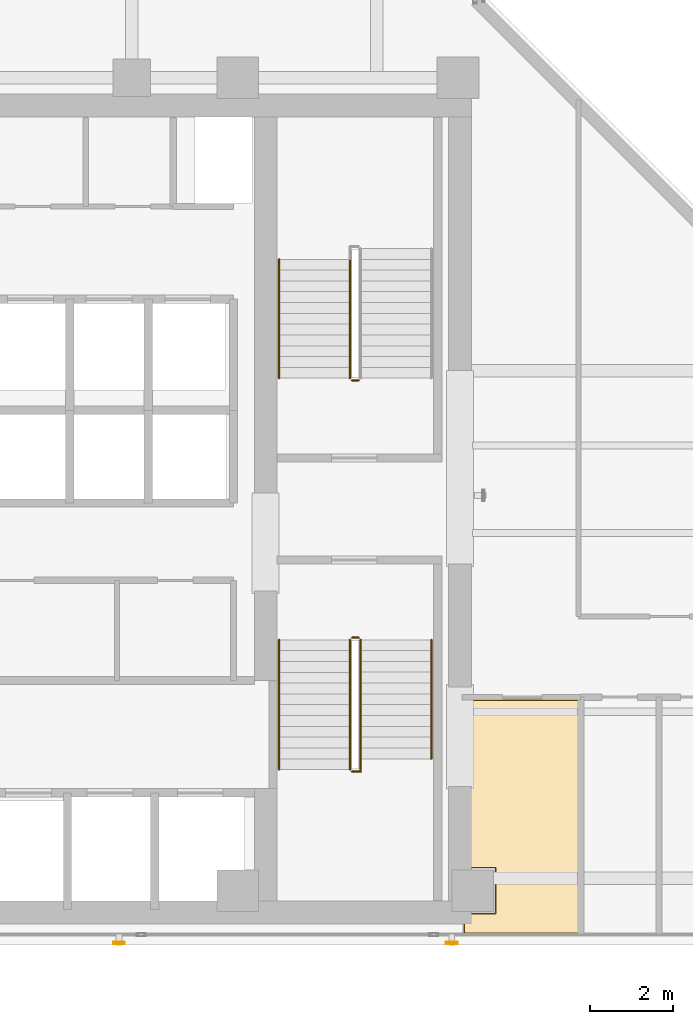
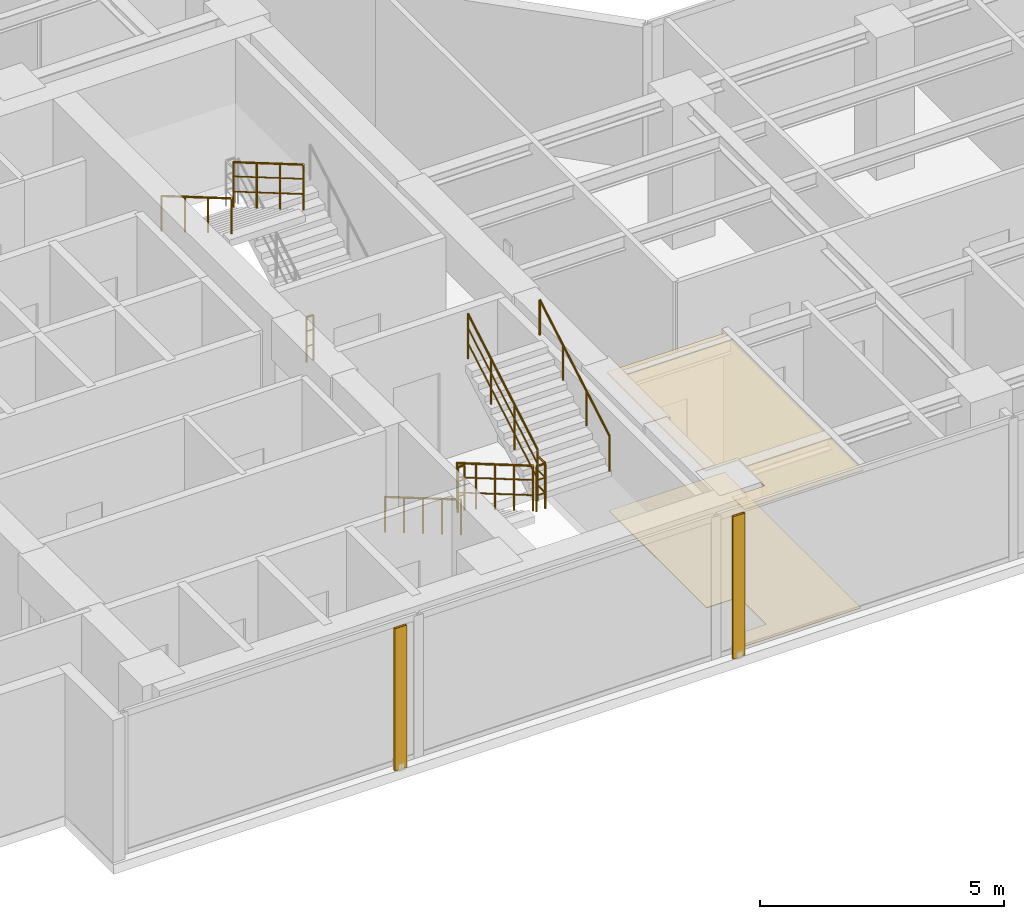
# One storey, part 19 of 23: 9 railings, 2 coverings, 2 shading devices.
"""IFC4 building model written with IfcOpenShell, lengths in metres."""

import ifcopenshell
import ifcopenshell.guid

model = None  # the IFC model being written
_history = None  # IfcOwnerHistory: only IFC2X3 demands one
_inside = {}  # id of a spatial element -> (the spatial element, [elements in it])
_under = {}  # id of a project, library or spatial element -> (it, [spatial elements below it])
_declared = {}  # id of a project -> (the project, [libraries it declares])
_typed = {}  # id of a type object -> (the type object, [elements of that type])
_made_of = {}  # id of a material, layer set ... -> (it, [elements and type objects made of it])


def new_model(schema):
    """Start an empty IFC model of exactly this schema.

    Asked for "IFC4X3", IfcOpenShell would pick the latest addendum, in which some entities
    have other attributes; the version numbers below select the first issue.
    IFC2X3 requires an IfcOwnerHistory on every rooted entity: one is made here for all.
    """
    global model, _history
    if schema == "IFC4X3":
        model = ifcopenshell.file(schema_version=(4, 3, 0, 0))
    else:
        model = ifcopenshell.file(schema=schema)
    _inside.clear()
    _under.clear()
    _declared.clear()
    _typed.clear()
    _made_of.clear()
    _history = None
    if model.schema == "IFC2X3":
        org = make("IfcOrganization", Name="unknown")
        user = make(
            "IfcPersonAndOrganization",
            ThePerson=make("IfcPerson", FamilyName="unknown"),
            TheOrganization=org,
        )
        app = make(
            "IfcApplication",
            ApplicationDeveloper=org,
            Version="unknown",
            ApplicationFullName="unknown",
            ApplicationIdentifier="unknown",
        )
        _history = make(
            "IfcOwnerHistory",
            OwningUser=user,
            OwningApplication=app,
            ChangeAction="ADDED",
            CreationDate=0,
        )
    return model


def make(cls, **values):
    """One entity of the class cls with the attributes given. An attribute that is None is left unset."""
    return model.create_entity(
        cls, **{name: value for name, value in values.items() if value is not None}
    )


def rooted(cls, **values):
    """An entity with a GlobalId (a new one), such as an element, a storey or a relation."""
    return make(cls, GlobalId=ifcopenshell.guid.new(), OwnerHistory=_history, **values)


def si_unit(unit_type, name, prefix=None):
    """IfcSIUnit, for example si_unit("LENGTHUNIT", "METRE", prefix="MILLI")."""
    return make("IfcSIUnit", UnitType=unit_type, Prefix=prefix, Name=name)


def assignment(units):
    """IfcUnitAssignment: the units of a project."""
    return None if units is None else make("IfcUnitAssignment", Units=units)


def point(xyz):
    """IfcCartesianPoint."""
    return None if xyz is None else make("IfcCartesianPoint", Coordinates=xyz)


def direction(xyz):
    """IfcDirection."""
    return None if xyz is None else make("IfcDirection", DirectionRatios=xyz)


def frame(location, z_axis=None, x_axis=None):
    """IfcAxis2Placement3D, a coordinate frame: its origin and axes. An axis left out is left unset."""
    return make(
        "IfcAxis2Placement3D",
        Location=point(location),
        Axis=direction(z_axis),
        RefDirection=direction(x_axis),
    )


def frame_2d(location, x_axis=None):
    """IfcAxis2Placement2D, a coordinate frame in the plane: its origin and x axis."""
    return make(
        "IfcAxis2Placement2D", Location=point(location), RefDirection=direction(x_axis)
    )


def origin():
    """The frame at (0, 0, 0) with its axes left unset."""
    return frame((0.0, 0.0, 0.0))


def origin_2d():
    """The frame at (0, 0) in the plane with its x axis left unset."""
    return frame_2d((0.0, 0.0))


def place(relative_to, where):
    """IfcLocalPlacement: puts the frame where relative to a parent placement (None: the world)."""
    return make(
        "IfcLocalPlacement", PlacementRelTo=relative_to, RelativePlacement=where
    )


def context(
    kind, dimensions, precision=None, world=None, true_north=None, identifier=None
):
    """IfcGeometricRepresentationContext, for example the 3D "Model" context."""
    return make(
        "IfcGeometricRepresentationContext",
        ContextIdentifier=identifier,
        ContextType=kind,
        CoordinateSpaceDimension=dimensions,
        Precision=precision,
        WorldCoordinateSystem=world,
        TrueNorth=true_north,
    )


def subcontext(parent, identifier, kind, view, scale=None):
    """IfcGeometricRepresentationSubContext, for example "Body" below "Model"."""
    return make(
        "IfcGeometricRepresentationSubContext",
        ContextIdentifier=identifier,
        ContextType=kind,
        ParentContext=parent,
        TargetScale=scale,
        TargetView=view,
    )


def project(units=None, contexts=None):
    """IfcProject with its units and contexts."""
    return rooted(
        "IfcProject",
        Name="project",
        RepresentationContexts=contexts,
        UnitsInContext=assignment(units),
    )


def spatial(cls, under=None, at=None, **own):
    """A site, building, storey or space (cls), placed at a placement, below another one or the project."""
    s = rooted(cls, ObjectPlacement=at, **own)
    if under is not None:
        _under.setdefault(under.id(), (under, []))[1].append(s)
    return s


def polyline(points):
    """IfcPolyline through the points."""
    return make("IfcPolyline", Points=[point(p) for p in points])


def profile(cls, at=None, kind="AREA", **sizes):
    """A parametric profile (cls). Its sizes go by their IFC names, for example OverallWidth=200.0."""
    return make(cls, ProfileType=kind, Position=at, **sizes)


def hollow_rectangle(**sizes):
    """IfcRectangleHollowProfileDef."""
    return profile("IfcRectangleHollowProfileDef", **sizes)


def circle(**sizes):
    """IfcCircleProfileDef."""
    return profile("IfcCircleProfileDef", **sizes)


def outline(outer, holes=None, kind="AREA"):
    """IfcArbitraryClosedProfileDef: a profile drawn as a closed curve; with holes, ...WithVoids."""
    if holes is None:
        return make("IfcArbitraryClosedProfileDef", ProfileType=kind, OuterCurve=outer)
    return make(
        "IfcArbitraryProfileDefWithVoids",
        ProfileType=kind,
        OuterCurve=outer,
        InnerCurves=holes,
    )


def extrude(swept, where, along, depth):
    """IfcExtrudedAreaSolid: the profile swept, set in the frame where, extruded along a direction by depth."""
    return make(
        "IfcExtrudedAreaSolid",
        SweptArea=swept,
        Position=where,
        ExtrudedDirection=direction(along),
        Depth=depth,
    )


def shape(context_of_items, identifier, shape_type, items):
    """IfcShapeRepresentation: the items that make up one representation, for example the "Body"."""
    return make(
        "IfcShapeRepresentation",
        ContextOfItems=context_of_items,
        RepresentationIdentifier=identifier,
        RepresentationType=shape_type,
        Items=items,
    )


def material(Name=None, Category=None):
    """IfcMaterial."""
    return make("IfcMaterial", Name=Name, Category=Category)


def layer(
    of_material, thickness, ventilated=None, Name=None, Category=None, Priority=None
):
    """IfcMaterialLayer: one layer of a wall or slab, of a material (None: an air gap)."""
    return make(
        "IfcMaterialLayer",
        Material=of_material,
        LayerThickness=thickness,
        IsVentilated=ventilated,
        Name=Name,
        Category=Category,
        Priority=Priority,
    )


def layer_set(layers, Name=None):
    """IfcMaterialLayerSet."""
    return make("IfcMaterialLayerSet", MaterialLayers=layers, LayerSetName=Name)


def material_profile(
    of_material, cross_section, Name=None, Category=None, Priority=None
):
    """IfcMaterialProfile: a cross section and its material."""
    return make(
        "IfcMaterialProfile",
        Name=Name,
        Material=of_material,
        Profile=cross_section,
        Priority=Priority,
        Category=Category,
    )


def profile_set(profiles, Name=None, composite=None):
    """IfcMaterialProfileSet."""
    return make(
        "IfcMaterialProfileSet",
        Name=Name,
        MaterialProfiles=profiles,
        CompositeProfile=composite,
    )


def made_of(thing, what):
    """Note that an element or type object is made of a material, layer set ...; save() writes the relation."""
    if what is not None:
        _made_of.setdefault(what.id(), (what, []))[1].append(thing)
    return thing


def type_object(cls, material=None, **own):
    """A type object (cls), such as IfcWallType, which elements share."""
    return made_of(rooted(cls, **own), material)


def element(
    cls,
    number,
    at=None,
    inside=None,
    cuts=None,
    type_object=None,
    material=None,
    context=None,
    identifier="Body",
    shape_type=None,
    held_by="IfcProductDefinitionShape",
    body=None,
    shapes=None,
    **own,
):
    """One element of the class cls, such as IfcWall. Its Tag is "e" and its number.

    at: its placement. inside: the storey or other place that contains it. cuts: it is an
    opening in that element (IfcRelVoidsElement). A single representation is given by context,
    identifier, shape_type and body (its items); several are given by shapes. held_by: the class
    of the entity that holds the representations. save() writes the other relations.
    """
    e = rooted(cls, Tag="e%d" % number, ObjectPlacement=at, **own)
    if body is not None:
        shapes = [shape(context, identifier, shape_type, body)]
    if shapes is not None:
        e.Representation = make(held_by, Representations=shapes)
    if inside is not None:
        _inside.setdefault(inside.id(), (inside, []))[1].append(e)
    if cuts is not None:
        rooted(
            "IfcRelVoidsElement", RelatingBuildingElement=cuts, RelatedOpeningElement=e
        )
    if type_object is not None:
        _typed.setdefault(type_object.id(), (type_object, []))[1].append(e)
    return made_of(e, material)


def aggregate(whole, parts):
    """IfcRelAggregates: a whole, such as a stair, and the parts it consists of."""
    return rooted("IfcRelAggregates", RelatingObject=whole, RelatedObjects=parts)


def save(model, path):
    """Write the relations noted so far, then the file.

    IfcRelAggregates (storeys below a building ...), IfcRelContainedInSpatialStructure (elements
    in a storey), IfcRelDefinesByType, IfcRelAssociatesMaterial and IfcRelDeclares: one each for
    every whole, place, type object, material and project.
    """
    for whole, parts in _under.values():
        aggregate(whole, parts)
    for where, things in _inside.values():
        rooted(
            "IfcRelContainedInSpatialStructure",
            RelatedElements=things,
            RelatingStructure=where,
        )
    for kind, things in _typed.values():
        rooted("IfcRelDefinesByType", RelatedObjects=things, RelatingType=kind)
    for what, things in _made_of.values():
        rooted("IfcRelAssociatesMaterial", RelatedObjects=things, RelatingMaterial=what)
    for by, libraries in _declared.values():
        rooted("IfcRelDeclares", RelatingContext=by, RelatedDefinitions=libraries)
    model.write(path)


model = new_model("IFC4")

# Units and contexts
model_context = context("Model", 3, precision=1e-05, world=origin(), true_north=direction((0.0, 1.0)))
body_context = subcontext(model_context, "Body", "Model", "MODEL_VIEW")
ifc_project = project(units=[si_unit("LENGTHUNIT", "METRE"), si_unit("AREAUNIT", "SQUARE_METRE"), si_unit("VOLUMEUNIT", "CUBIC_METRE"), si_unit("PLANEANGLEUNIT", "RADIAN"), si_unit("MASSUNIT", "GRAM", prefix="KILO")], contexts=[model_context])

# Site, building, storey
site_placement = place(None, origin())
site = spatial("IfcSite", under=ifc_project, at=site_placement, CompositionType="ELEMENT")
building_placement = place(site_placement, origin())
building = spatial("IfcBuilding", under=site, at=building_placement, Name="Kolvaren Waterfront Exchange", CompositionType="ELEMENT")
storey_placement = place(building_placement, frame((0.0, 0.0, 227.300048828125)))
storey = spatial("IfcBuildingStorey", under=building, at=storey_placement, Name="L58", CompositionType="ELEMENT", Elevation=227.300048828125)

# Covering
ifc_material_1 = material(Name="Mineral fibre acoustic ceiling tile")
ifc_layer_1 = layer(ifc_material_1, 0.02490234375, Name="Mineral fibre acoustic ceiling tile")
ifc_layer_set_1 = layer_set([ifc_layer_1], Name="Mineral fibre acoustic ceiling tile")
covering_type_1 = type_object("IfcCoveringType", Name="ARC-CEIL-ACOUSTIC-25", PredefinedType="CEILING", material=ifc_layer_set_1)
covering_1_placement = place(storey_placement, frame((0.0, 0.0, 3.445068359375)))
element("IfcCovering", 1, at=covering_1_placement, inside=storey, type_object=covering_type_1, Name="L58 acoustic suspended ceiling 1", PredefinedType="CEILING", context=body_context, shape_type="SweptSolid", body=[
    extrude(outline(polyline([(20.864990234375, 5.43994140625), (21.639892578125, 5.43994140625), (21.639892578125, 4.360107421875), (20.864990234375, 4.360107421875), (20.864990234375, 3.844970703125), (23.675048828125, 3.844970703125), (23.675048828125, 9.5048828125), (20.864990234375, 9.5048828125), (20.864990234375, 5.43994140625)])), origin(), (0.0, 0.0, 1.0), 0.02490234375),
])

# Shading devices
ifc_material_2 = material(Name="Anodised bronze aluminium 6063-T6", Category="aluminium")
ifc_material_profile = material_profile(ifc_material_2, hollow_rectangle(XDim=0.054931640625, YDim=0.280029296875, WallThickness=0.00439453125, at=origin_2d()), Name="BRZ-FIN-280x55x4.5")
ifc_profile_set = profile_set([ifc_material_profile], Name="Anodised bronze aluminium 6063-T6")
shading_device_type = type_object("IfcShadingDeviceType", Name="ARC-FIN-280", PredefinedType="USERDEFINED", material=ifc_profile_set)
for number, where, z_axis, x_axis, name in (
    (2, (12.60009765625, 3.639892578125, 0.0), (0.0, 0.0, 1.0), (0.0, -1.0, 0.0), "L58 anodised bronze solar shading fin FIN-L58-S1"),
    (3, (20.60009765625, 3.639892578125, 0.0), (0.0, 0.0, 1.0), (0.0, -1.0, 0.0), "L58 anodised bronze solar shading fin FIN-L58-S2"),
):
    element("IfcShadingDevice", number, at=place(storey_placement, frame(where, z_axis=z_axis, x_axis=x_axis)), inside=storey, type_object=shading_device_type, Name=name, ObjectType="SOLAR FIN", PredefinedType="USERDEFINED", context=body_context, shape_type="SweptSolid", body=[
        extrude(hollow_rectangle(XDim=0.054931640625, YDim=0.280029296875, WallThickness=0.00439453125, at=origin_2d()), origin(), (0.0, 0.0, 1.0), 3.56005859375),
    ])

# Covering
ifc_material_3 = material(Name="Slip-resistant porcelain tile")
ifc_layer_2 = layer(ifc_material_3, 0.014892578125, Name="Slip-resistant porcelain tile")
ifc_layer_set_2 = layer_set([ifc_layer_2], Name="Slip-resistant porcelain tile")
covering_type_2 = type_object("IfcCoveringType", Name="ARC-FLR-PORC-15", PredefinedType="FLOORING", material=ifc_layer_set_2)
covering_2_placement = place(storey_placement, origin())
element("IfcCovering", 4, at=covering_2_placement, inside=storey, type_object=covering_type_2, Name="L58 floor finish 1", PredefinedType="FLOORING", context=body_context, shape_type="SweptSolid", body=[
    extrude(outline(polyline([(20.89990234375, 4.340087890625), (20.89990234375, 3.8798828125), (23.639892578125, 3.8798828125), (23.639892578125, 9.469970703125), (20.89990234375, 9.469970703125), (20.89990234375, 5.4599609375), (21.659912109375, 5.4599609375), (21.659912109375, 4.340087890625), (20.89990234375, 4.340087890625)])), origin(), (0.0, 0.0, 1.0), 0.014892578125),
])

# Railings
ifc_material_4 = material(Name="Stainless steel 316", Category="steel")
railing_type_1 = type_object("IfcRailingType", Name="ARC-GUARD-STAIR", PredefinedType="GUARDRAIL", material=ifc_material_4)
railing_1_placement = place(storey_placement, frame((18.14990234375, 10.929931640625, 0.15185546875)))
element("IfcRailing", 5, at=railing_1_placement, inside=storey, type_object=railing_type_1, Name="L58 ST1 stair guard 1", PredefinedType="GUARDRAIL", context=body_context, shape_type="SweptSolid", body=[
    extrude(circle(Radius=0.02392578125, at=origin_2d()), frame((0.0, 0.0, 1.1259765625), z_axis=(0.0, -0.86329090724, 0.504706656858), x_axis=(1.0, 0.0, 0.0)), (0.0, 0.0, 1.0), 3.614013671875),
    extrude(circle(Radius=0.01611328125, at=origin_2d()), frame((0.0, 0.0, 0.390869140625), z_axis=(0.0, -0.86329090724, 0.504706656858), x_axis=(1.0, 0.0, 0.0)), (0.0, 0.0, 1.0), 3.614013671875),
    extrude(circle(Radius=0.01611328125, at=origin_2d()), frame((0.0, 0.0, 0.7705078125), z_axis=(0.0, -0.86329090724, 0.504706656858), x_axis=(1.0, 0.0, 0.0)), (0.0, 0.0, 1.0), 3.614013671875),
    extrude(circle(Radius=0.02099609375, at=origin_2d()), origin(), (0.0, 0.0, 1.0), 1.101806640625),
    extrude(circle(Radius=0.02099609375, at=origin_2d()), frame((0.0, -0.780029296875, 0.4560546875)), (0.0, 0.0, 1.0), 1.101806640625),
    extrude(circle(Radius=0.02099609375, at=origin_2d()), frame((0.0, -1.56005859375, 0.912109375)), (0.0, 0.0, 1.0), 1.101806640625),
    extrude(circle(Radius=0.02099609375, at=origin_2d()), frame((0.0, -2.33984375, 1.367919921875)), (0.0, 0.0, 1.0), 1.101806640625),
    extrude(circle(Radius=0.02099609375, at=origin_2d()), frame((0.0, -3.119873046875, 1.823974609375)), (0.0, 0.0, 1.0), 1.101806640625),
])
railing_2_placement = place(storey_placement, frame((18.199951171875, 7.760009765625, 1.975830078125)))
element("IfcRailing", 6, at=railing_2_placement, inside=storey, type_object=railing_type_1, Name="L58 ST1 stair guard 2", PredefinedType="GUARDRAIL", context=body_context, shape_type="SweptSolid", body=[
    extrude(circle(Radius=0.02392578125, at=origin_2d()), frame((0.0, 0.0, 1.1259765625), z_axis=(1.0, 0.0, 0.0), x_axis=(0.0, 1.0, 0.0)), (0.0, 0.0, 1.0), 0.2099609375),
    extrude(circle(Radius=0.01611328125, at=origin_2d()), frame((0.0, 0.0, 0.390869140625), z_axis=(1.0, 0.0, 0.0), x_axis=(0.0, 1.0, 0.0)), (0.0, 0.0, 1.0), 0.2099609375),
    extrude(circle(Radius=0.01611328125, at=origin_2d()), frame((0.0, 0.0, 0.7705078125), z_axis=(1.0, 0.0, 0.0), x_axis=(0.0, 1.0, 0.0)), (0.0, 0.0, 1.0), 0.2099609375),
    extrude(circle(Radius=0.02392578125, at=origin_2d()), frame((0.2099609375, 0.0, 1.1259765625), z_axis=(0.0, 1.0, 0.0), x_axis=(-1.0, 0.0, 0.0)), (0.0, 0.0, 1.0), 0.31005859375),
    extrude(circle(Radius=0.01611328125, at=origin_2d()), frame((0.2099609375, 0.0, 0.390869140625), z_axis=(0.0, 1.0, 0.0), x_axis=(-1.0, 0.0, 0.0)), (0.0, 0.0, 1.0), 0.31005859375),
    extrude(circle(Radius=0.01611328125, at=origin_2d()), frame((0.2099609375, 0.0, 0.7705078125), z_axis=(0.0, 1.0, 0.0), x_axis=(-1.0, 0.0, 0.0)), (0.0, 0.0, 1.0), 0.31005859375),
    extrude(circle(Radius=0.02099609375, at=origin_2d()), origin(), (0.0, 0.0, 1.0), 1.101806640625),
    extrude(circle(Radius=0.02099609375, at=origin_2d()), frame((0.2099609375, 0.0, 0.0)), (0.0, 0.0, 1.0), 1.101806640625),
    extrude(circle(Radius=0.02099609375, at=origin_2d()), frame((0.2099609375, 0.31005859375, 0.0)), (0.0, 0.0, 1.0), 1.101806640625),
])
railing_3_placement = place(storey_placement, frame((18.409912109375, 8.070068359375, 2.1279296875)))
element("IfcRailing", 7, at=railing_3_placement, inside=storey, type_object=railing_type_1, Name="L58 ST1 stair guard 3", PredefinedType="GUARDRAIL", context=body_context, shape_type="SweptSolid", body=[
    extrude(circle(Radius=0.02392578125, at=origin_2d()), frame((0.0, 0.0, 1.1259765625), z_axis=(0.0, 0.863270611444, 0.50474137082), x_axis=(-1.0, 0.0, 0.0)), (0.0, 0.0, 1.0), 3.312744140625),
    extrude(circle(Radius=0.01611328125, at=origin_2d()), frame((0.0, 0.0, 0.390869140625), z_axis=(0.0, 0.863270611444, 0.50474137082), x_axis=(-1.0, 0.0, 0.0)), (0.0, 0.0, 1.0), 3.312744140625),
    extrude(circle(Radius=0.01611328125, at=origin_2d()), frame((0.0, 0.0, 0.7705078125), z_axis=(0.0, 0.863270611444, 0.50474137082), x_axis=(-1.0, 0.0, 0.0)), (0.0, 0.0, 1.0), 3.312744140625),
    extrude(circle(Radius=0.02099609375, at=origin_2d()), origin(), (0.0, 0.0, 1.0), 1.101806640625),
    extrude(circle(Radius=0.02099609375, at=origin_2d()), frame((0.0, 0.953369140625, 0.557373046875)), (0.0, 0.0, 1.0), 1.101806640625),
    extrude(circle(Radius=0.02099609375, at=origin_2d()), frame((0.0, 1.906494140625, 1.11474609375)), (0.0, 0.0, 1.0), 1.101806640625),
    extrude(circle(Radius=0.02099609375, at=origin_2d()), frame((0.0, 2.85986328125, 1.672119140625)), (0.0, 0.0, 1.0), 1.101806640625),
])
railing_4_placement = place(storey_placement, frame((18.199951171875, 10.97998046875, 0.0)))
element("IfcRailing", 8, at=railing_4_placement, inside=storey, type_object=railing_type_1, Name="L58 ST1 stair guard 4", PredefinedType="GUARDRAIL", context=body_context, shape_type="SweptSolid", body=[
    extrude(circle(Radius=0.02392578125, at=origin_2d()), frame((0.0, 0.0, 1.1259765625), z_axis=(1.0, 0.0, 0.0), x_axis=(0.0, 1.0, 0.0)), (0.0, 0.0, 1.0), 0.16015625),
    extrude(circle(Radius=0.01611328125, at=origin_2d()), frame((0.0, 0.0, 0.390869140625), z_axis=(1.0, 0.0, 0.0), x_axis=(0.0, 1.0, 0.0)), (0.0, 0.0, 1.0), 0.16015625),
    extrude(circle(Radius=0.01611328125, at=origin_2d()), frame((0.0, 0.0, 0.7705078125), z_axis=(1.0, 0.0, 0.0), x_axis=(0.0, 1.0, 0.0)), (0.0, 0.0, 1.0), 0.16015625),
    extrude(circle(Radius=0.02099609375, at=origin_2d()), origin(), (0.0, 0.0, 1.0), 1.101806640625),
    extrude(circle(Radius=0.02099609375, at=origin_2d()), frame((0.16015625, 0.0, 0.0)), (0.0, 0.0, 1.0), 1.101806640625),
])
railing_5_placement = place(storey_placement, frame((18.14990234375, 20.080078125, 2.1279296875)))
element("IfcRailing", 9, at=railing_5_placement, inside=storey, type_object=railing_type_1, Name="L58 ST2 stair guard 3", PredefinedType="GUARDRAIL", context=body_context, shape_type="SweptSolid", body=[
    extrude(circle(Radius=0.02392578125, at=origin_2d()), frame((0.0, 0.0, 1.1259765625), z_axis=(0.0, -0.863289384635, 0.504709261235), x_axis=(1.0, 0.0, 0.0)), (0.0, 0.0, 1.0), 3.31298828125),
    extrude(circle(Radius=0.01611328125, at=origin_2d()), frame((0.0, 0.0, 0.390869140625), z_axis=(0.0, -0.863289384635, 0.504709261235), x_axis=(1.0, 0.0, 0.0)), (0.0, 0.0, 1.0), 3.31298828125),
    extrude(circle(Radius=0.01611328125, at=origin_2d()), frame((0.0, 0.0, 0.7705078125), z_axis=(0.0, -0.863289384635, 0.504709261235), x_axis=(1.0, 0.0, 0.0)), (0.0, 0.0, 1.0), 3.31298828125),
    extrude(circle(Radius=0.02099609375, at=origin_2d()), origin(), (0.0, 0.0, 1.0), 1.101806640625),
    extrude(circle(Radius=0.02099609375, at=origin_2d()), frame((0.0, -0.953369140625, 0.557373046875)), (0.0, 0.0, 1.0), 1.101806640625),
    extrude(circle(Radius=0.02099609375, at=origin_2d()), frame((0.0, -1.90673828125, 1.11474609375)), (0.0, 0.0, 1.0), 1.101806640625),
    extrude(circle(Radius=0.02099609375, at=origin_2d()), frame((0.0, -2.860107421875, 1.672119140625)), (0.0, 0.0, 1.0), 1.101806640625),
])
railing_6_placement = place(storey_placement, frame((18.360107421875, 17.169921875, 0.0)))
element("IfcRailing", 10, at=railing_6_placement, inside=storey, type_object=railing_type_1, Name="L58 ST2 stair guard 4", PredefinedType="GUARDRAIL", context=body_context, shape_type="SweptSolid", body=[
    extrude(circle(Radius=0.02392578125, at=origin_2d()), frame((0.0, 0.0, 1.1259765625), z_axis=(-1.0, 0.0, 0.0), x_axis=(0.0, -1.0, 0.0)), (0.0, 0.0, 1.0), 0.16015625),
    extrude(circle(Radius=0.01611328125, at=origin_2d()), frame((0.0, 0.0, 0.390869140625), z_axis=(-1.0, 0.0, 0.0), x_axis=(0.0, -1.0, 0.0)), (0.0, 0.0, 1.0), 0.16015625),
    extrude(circle(Radius=0.01611328125, at=origin_2d()), frame((0.0, 0.0, 0.7705078125), z_axis=(-1.0, 0.0, 0.0), x_axis=(0.0, -1.0, 0.0)), (0.0, 0.0, 1.0), 0.16015625),
    extrude(circle(Radius=0.02099609375, at=origin_2d()), origin(), (0.0, 0.0, 1.0), 1.101806640625),
    extrude(circle(Radius=0.02099609375, at=origin_2d()), frame((-0.16015625, 0.0, 0.0)), (0.0, 0.0, 1.0), 1.101806640625),
])
railing_type_2 = type_object("IfcRailingType", Name="ARC-HANDRAIL-900", PredefinedType="HANDRAIL", material=ifc_material_4)
railing_7_placement = place(storey_placement, frame((16.449951171875, 10.929931640625, 0.15185546875)))
element("IfcRailing", 11, at=railing_7_placement, inside=storey, type_object=railing_type_2, Name="L58 ST1 stair handrail 1", PredefinedType="HANDRAIL", context=body_context, shape_type="SweptSolid", body=[
    extrude(circle(Radius=0.02392578125, at=origin_2d()), frame((0.0, 0.0, 0.8759765625), z_axis=(0.0, -0.86329090724, 0.504706656858), x_axis=(1.0, 0.0, 0.0)), (0.0, 0.0, 1.0), 3.614013671875),
    extrude(circle(Radius=0.02099609375, at=origin_2d()), origin(), (0.0, 0.0, 1.0), 0.851806640625),
    extrude(circle(Radius=0.02099609375, at=origin_2d()), frame((0.0, -0.780029296875, 0.4560546875)), (0.0, 0.0, 1.0), 0.851806640625),
    extrude(circle(Radius=0.02099609375, at=origin_2d()), frame((0.0, -1.56005859375, 0.912109375)), (0.0, 0.0, 1.0), 0.851806640625),
    extrude(circle(Radius=0.02099609375, at=origin_2d()), frame((0.0, -2.33984375, 1.367919921875)), (0.0, 0.0, 1.0), 0.851806640625),
    extrude(circle(Radius=0.02099609375, at=origin_2d()), frame((0.0, -3.119873046875, 1.823974609375)), (0.0, 0.0, 1.0), 0.851806640625),
])
railing_8_placement = place(storey_placement, frame((20.110107421875, 8.070068359375, 2.1279296875)))
element("IfcRailing", 12, at=railing_8_placement, inside=storey, type_object=railing_type_2, Name="L58 ST1 stair handrail 2", PredefinedType="HANDRAIL", context=body_context, shape_type="SweptSolid", body=[
    extrude(circle(Radius=0.02392578125, at=origin_2d()), frame((0.0, 0.0, 0.8759765625), z_axis=(0.0, 0.863270611444, 0.50474137082), x_axis=(-1.0, 0.0, 0.0)), (0.0, 0.0, 1.0), 3.312744140625),
    extrude(circle(Radius=0.02099609375, at=origin_2d()), origin(), (0.0, 0.0, 1.0), 0.851806640625),
    extrude(circle(Radius=0.02099609375, at=origin_2d()), frame((0.0, 0.953369140625, 0.557373046875)), (0.0, 0.0, 1.0), 0.851806640625),
    extrude(circle(Radius=0.02099609375, at=origin_2d()), frame((0.0, 1.906494140625, 1.11474609375)), (0.0, 0.0, 1.0), 0.851806640625),
    extrude(circle(Radius=0.02099609375, at=origin_2d()), frame((0.0, 2.85986328125, 1.672119140625)), (0.0, 0.0, 1.0), 0.851806640625),
])
railing_9_placement = place(storey_placement, frame((16.449951171875, 20.080078125, 2.1279296875)))
element("IfcRailing", 13, at=railing_9_placement, inside=storey, type_object=railing_type_2, Name="L58 ST2 stair handrail 2", PredefinedType="HANDRAIL", context=body_context, shape_type="SweptSolid", body=[
    extrude(circle(Radius=0.02392578125, at=origin_2d()), frame((0.0, 0.0, 0.8759765625), z_axis=(0.0, -0.863289384635, 0.504709261235), x_axis=(1.0, 0.0, 0.0)), (0.0, 0.0, 1.0), 3.31298828125),
    extrude(circle(Radius=0.02099609375, at=origin_2d()), origin(), (0.0, 0.0, 1.0), 0.851806640625),
    extrude(circle(Radius=0.02099609375, at=origin_2d()), frame((0.0, -0.953369140625, 0.557373046875)), (0.0, 0.0, 1.0), 0.851806640625),
    extrude(circle(Radius=0.02099609375, at=origin_2d()), frame((0.0, -1.90673828125, 1.11474609375)), (0.0, 0.0, 1.0), 0.851806640625),
    extrude(circle(Radius=0.02099609375, at=origin_2d()), frame((0.0, -2.860107421875, 1.672119140625)), (0.0, 0.0, 1.0), 0.851806640625),
])

save(model, "model.ifc")
